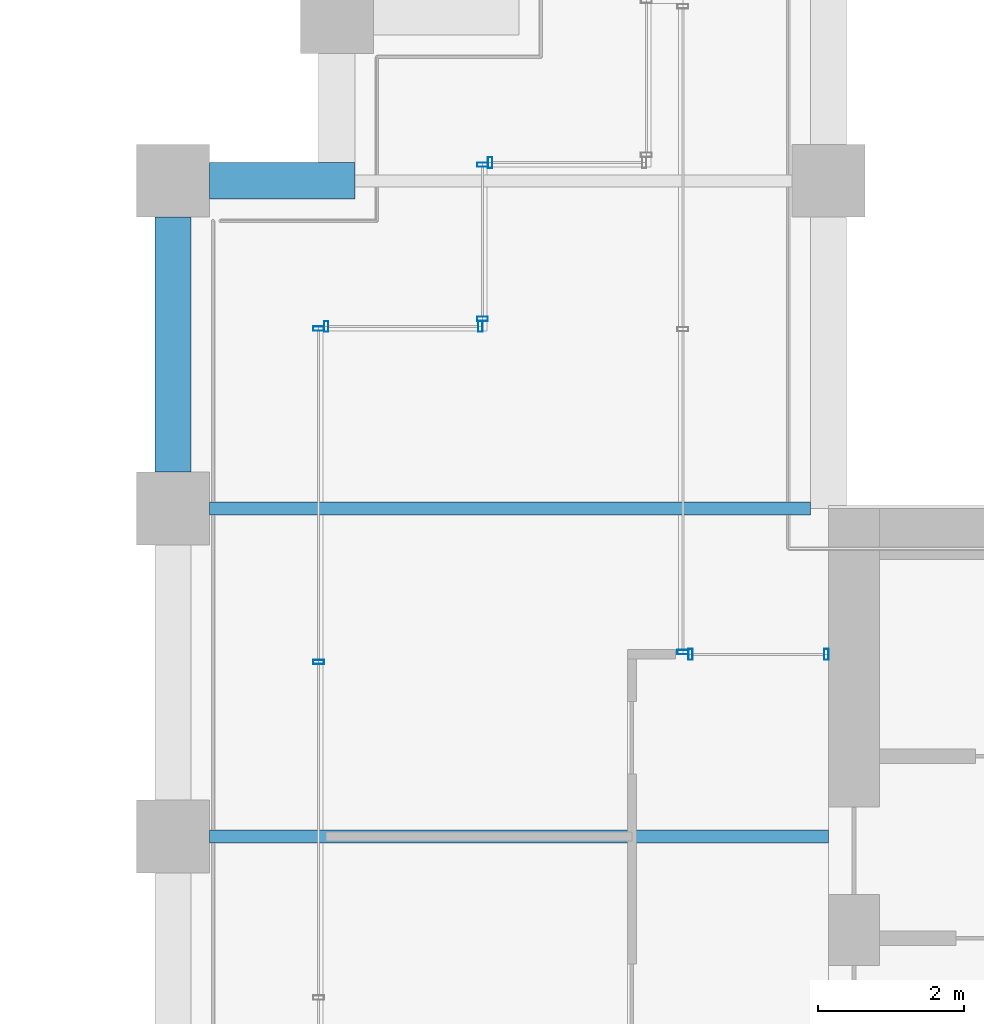
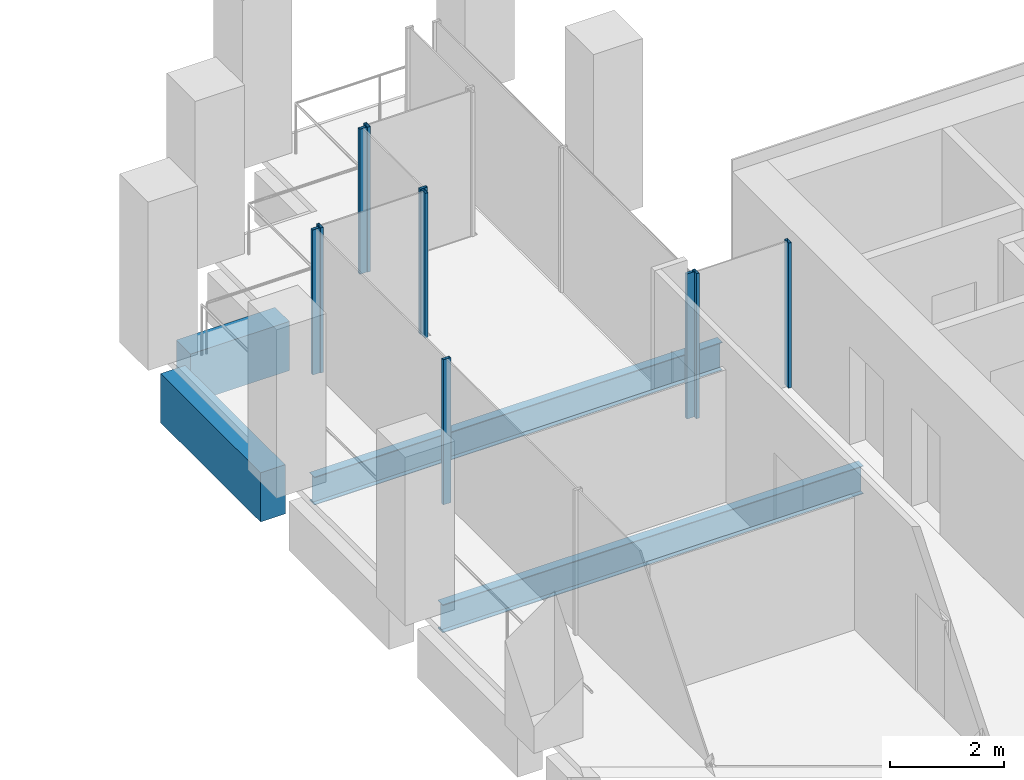
# One storey, part 34 of 47: 10 members, 4 beams, 6 elements without a shape of their own.
"""IFC4 building model written with IfcOpenShell, lengths in metres."""

import ifcopenshell
import ifcopenshell.guid

model = None  # the IFC model being written
_history = None  # IfcOwnerHistory: only IFC2X3 demands one
_inside = {}  # id of a spatial element -> (the spatial element, [elements in it])
_under = {}  # id of a project, library or spatial element -> (it, [spatial elements below it])
_declared = {}  # id of a project -> (the project, [libraries it declares])
_typed = {}  # id of a type object -> (the type object, [elements of that type])
_made_of = {}  # id of a material, layer set ... -> (it, [elements and type objects made of it])


def new_model(schema):
    """Start an empty IFC model of exactly this schema.

    Asked for "IFC4X3", IfcOpenShell would pick the latest addendum, in which some entities
    have other attributes; the version numbers below select the first issue.
    IFC2X3 requires an IfcOwnerHistory on every rooted entity: one is made here for all.
    """
    global model, _history
    if schema == "IFC4X3":
        model = ifcopenshell.file(schema_version=(4, 3, 0, 0))
    else:
        model = ifcopenshell.file(schema=schema)
    _inside.clear()
    _under.clear()
    _declared.clear()
    _typed.clear()
    _made_of.clear()
    _history = None
    if model.schema == "IFC2X3":
        org = make("IfcOrganization", Name="unknown")
        user = make(
            "IfcPersonAndOrganization",
            ThePerson=make("IfcPerson", FamilyName="unknown"),
            TheOrganization=org,
        )
        app = make(
            "IfcApplication",
            ApplicationDeveloper=org,
            Version="unknown",
            ApplicationFullName="unknown",
            ApplicationIdentifier="unknown",
        )
        _history = make(
            "IfcOwnerHistory",
            OwningUser=user,
            OwningApplication=app,
            ChangeAction="ADDED",
            CreationDate=0,
        )
    return model


def make(cls, **values):
    """One entity of the class cls with the attributes given. An attribute that is None is left unset."""
    return model.create_entity(
        cls, **{name: value for name, value in values.items() if value is not None}
    )


def rooted(cls, **values):
    """An entity with a GlobalId (a new one), such as an element, a storey or a relation."""
    return make(cls, GlobalId=ifcopenshell.guid.new(), OwnerHistory=_history, **values)


def si_unit(unit_type, name, prefix=None):
    """IfcSIUnit, for example si_unit("LENGTHUNIT", "METRE", prefix="MILLI")."""
    return make("IfcSIUnit", UnitType=unit_type, Prefix=prefix, Name=name)


def assignment(units):
    """IfcUnitAssignment: the units of a project."""
    return None if units is None else make("IfcUnitAssignment", Units=units)


def point(xyz):
    """IfcCartesianPoint."""
    return None if xyz is None else make("IfcCartesianPoint", Coordinates=xyz)


def direction(xyz):
    """IfcDirection."""
    return None if xyz is None else make("IfcDirection", DirectionRatios=xyz)


def frame(location, z_axis=None, x_axis=None):
    """IfcAxis2Placement3D, a coordinate frame: its origin and axes. An axis left out is left unset."""
    return make(
        "IfcAxis2Placement3D",
        Location=point(location),
        Axis=direction(z_axis),
        RefDirection=direction(x_axis),
    )


def frame_2d(location, x_axis=None):
    """IfcAxis2Placement2D, a coordinate frame in the plane: its origin and x axis."""
    return make(
        "IfcAxis2Placement2D", Location=point(location), RefDirection=direction(x_axis)
    )


def origin():
    """The frame at (0, 0, 0) with its axes left unset."""
    return frame((0.0, 0.0, 0.0))


def origin_2d():
    """The frame at (0, 0) in the plane with its x axis left unset."""
    return frame_2d((0.0, 0.0))


def place(relative_to, where):
    """IfcLocalPlacement: puts the frame where relative to a parent placement (None: the world)."""
    return make(
        "IfcLocalPlacement", PlacementRelTo=relative_to, RelativePlacement=where
    )


def context(
    kind, dimensions, precision=None, world=None, true_north=None, identifier=None
):
    """IfcGeometricRepresentationContext, for example the 3D "Model" context."""
    return make(
        "IfcGeometricRepresentationContext",
        ContextIdentifier=identifier,
        ContextType=kind,
        CoordinateSpaceDimension=dimensions,
        Precision=precision,
        WorldCoordinateSystem=world,
        TrueNorth=true_north,
    )


def subcontext(parent, identifier, kind, view, scale=None):
    """IfcGeometricRepresentationSubContext, for example "Body" below "Model"."""
    return make(
        "IfcGeometricRepresentationSubContext",
        ContextIdentifier=identifier,
        ContextType=kind,
        ParentContext=parent,
        TargetScale=scale,
        TargetView=view,
    )


def project(units=None, contexts=None):
    """IfcProject with its units and contexts."""
    return rooted(
        "IfcProject",
        Name="project",
        RepresentationContexts=contexts,
        UnitsInContext=assignment(units),
    )


def spatial(cls, under=None, at=None, **own):
    """A site, building, storey or space (cls), placed at a placement, below another one or the project."""
    s = rooted(cls, ObjectPlacement=at, **own)
    if under is not None:
        _under.setdefault(under.id(), (under, []))[1].append(s)
    return s


def profile(cls, at=None, kind="AREA", **sizes):
    """A parametric profile (cls). Its sizes go by their IFC names, for example OverallWidth=200.0."""
    return make(cls, ProfileType=kind, Position=at, **sizes)


def rectangle(**sizes):
    """IfcRectangleProfileDef."""
    return profile("IfcRectangleProfileDef", **sizes)


def hollow_rectangle(**sizes):
    """IfcRectangleHollowProfileDef."""
    return profile("IfcRectangleHollowProfileDef", **sizes)


def i_section(**sizes):
    """IfcIShapeProfileDef."""
    return profile("IfcIShapeProfileDef", **sizes)


def extrude(swept, where, along, depth):
    """IfcExtrudedAreaSolid: the profile swept, set in the frame where, extruded along a direction by depth."""
    return make(
        "IfcExtrudedAreaSolid",
        SweptArea=swept,
        Position=where,
        ExtrudedDirection=direction(along),
        Depth=depth,
    )


def shape(context_of_items, identifier, shape_type, items):
    """IfcShapeRepresentation: the items that make up one representation, for example the "Body"."""
    return make(
        "IfcShapeRepresentation",
        ContextOfItems=context_of_items,
        RepresentationIdentifier=identifier,
        RepresentationType=shape_type,
        Items=items,
    )


def material(Name=None, Category=None):
    """IfcMaterial."""
    return make("IfcMaterial", Name=Name, Category=Category)


def material_profile(
    of_material, cross_section, Name=None, Category=None, Priority=None
):
    """IfcMaterialProfile: a cross section and its material."""
    return make(
        "IfcMaterialProfile",
        Name=Name,
        Material=of_material,
        Profile=cross_section,
        Priority=Priority,
        Category=Category,
    )


def profile_set(profiles, Name=None, composite=None):
    """IfcMaterialProfileSet."""
    return make(
        "IfcMaterialProfileSet",
        Name=Name,
        MaterialProfiles=profiles,
        CompositeProfile=composite,
    )


def made_of(thing, what):
    """Note that an element or type object is made of a material, layer set ...; save() writes the relation."""
    if what is not None:
        _made_of.setdefault(what.id(), (what, []))[1].append(thing)
    return thing


def type_object(cls, material=None, **own):
    """A type object (cls), such as IfcWallType, which elements share."""
    return made_of(rooted(cls, **own), material)


def element(
    cls,
    number,
    at=None,
    inside=None,
    cuts=None,
    type_object=None,
    material=None,
    context=None,
    identifier="Body",
    shape_type=None,
    held_by="IfcProductDefinitionShape",
    body=None,
    shapes=None,
    **own,
):
    """One element of the class cls, such as IfcWall. Its Tag is "e" and its number.

    at: its placement. inside: the storey or other place that contains it. cuts: it is an
    opening in that element (IfcRelVoidsElement). A single representation is given by context,
    identifier, shape_type and body (its items); several are given by shapes. held_by: the class
    of the entity that holds the representations. save() writes the other relations.
    """
    e = rooted(cls, Tag="e%d" % number, ObjectPlacement=at, **own)
    if body is not None:
        shapes = [shape(context, identifier, shape_type, body)]
    if shapes is not None:
        e.Representation = make(held_by, Representations=shapes)
    if inside is not None:
        _inside.setdefault(inside.id(), (inside, []))[1].append(e)
    if cuts is not None:
        rooted(
            "IfcRelVoidsElement", RelatingBuildingElement=cuts, RelatedOpeningElement=e
        )
    if type_object is not None:
        _typed.setdefault(type_object.id(), (type_object, []))[1].append(e)
    return made_of(e, material)


def aggregate(whole, parts):
    """IfcRelAggregates: a whole, such as a stair, and the parts it consists of."""
    return rooted("IfcRelAggregates", RelatingObject=whole, RelatedObjects=parts)


def save(model, path):
    """Write the relations noted so far, then the file.

    IfcRelAggregates (storeys below a building ...), IfcRelContainedInSpatialStructure (elements
    in a storey), IfcRelDefinesByType, IfcRelAssociatesMaterial and IfcRelDeclares: one each for
    every whole, place, type object, material and project.
    """
    for whole, parts in _under.values():
        aggregate(whole, parts)
    for where, things in _inside.values():
        rooted(
            "IfcRelContainedInSpatialStructure",
            RelatedElements=things,
            RelatingStructure=where,
        )
    for kind, things in _typed.values():
        rooted("IfcRelDefinesByType", RelatedObjects=things, RelatingType=kind)
    for what, things in _made_of.values():
        rooted("IfcRelAssociatesMaterial", RelatedObjects=things, RelatingMaterial=what)
    for by, libraries in _declared.values():
        rooted("IfcRelDeclares", RelatingContext=by, RelatedDefinitions=libraries)
    model.write(path)


model = new_model("IFC4")

# Units and contexts
model_context = context("Model", 3, precision=1e-05, world=origin(), true_north=direction((0.0, 1.0)))
body_context = subcontext(model_context, "Body", "Model", "MODEL_VIEW")
ifc_project = project(units=[si_unit("LENGTHUNIT", "METRE"), si_unit("AREAUNIT", "SQUARE_METRE"), si_unit("VOLUMEUNIT", "CUBIC_METRE"), si_unit("PLANEANGLEUNIT", "RADIAN"), si_unit("MASSUNIT", "GRAM", prefix="KILO")], contexts=[model_context])

# Site, building, storey
site_placement = place(None, origin())
site = spatial("IfcSite", under=ifc_project, at=site_placement, CompositionType="ELEMENT")
building_placement = place(site_placement, origin())
building = spatial("IfcBuilding", under=site, at=building_placement, Name="Altepetl Exchange Towers", CompositionType="ELEMENT")
storey_placement = place(building_placement, frame((0.0, 0.0, 99.199951171875)))
storey = spatial("IfcBuildingStorey", under=building, at=storey_placement, Name="L24", CompositionType="ELEMENT", Elevation=99.199951171875)

# Beams
ifc_material_1 = material(Name="Steel S355", Category="steel")
ifc_material_profile_1 = material_profile(ifc_material_1, i_section(OverallWidth=0.177978515625, OverallDepth=0.59912109375, WebThickness=0.010009765625, FlangeThickness=0.0126953125, at=origin_2d()), Name="W24X55")
ifc_profile_set_1 = profile_set([ifc_material_profile_1], Name="Steel S355")
beam_type_1 = type_object("IfcBeamType", Name="Floor beam W24X55", PredefinedType="BEAM", material=ifc_profile_set_1)
beam_1_placement = place(storey_placement, frame((95.0, 45.0, -0.449462890625), z_axis=(1.0, 0.0, 0.0), x_axis=(0.0, 1.0, 0.0)))
element("IfcBeam", 1, at=beam_1_placement, inside=storey, type_object=beam_type_1, Name="bm:B:L24:009", PredefinedType="BEAM", context=body_context, shape_type="SweptSolid", body=[
    extrude(i_section(OverallWidth=0.177978515625, OverallDepth=0.59912109375, WebThickness=0.010009765625, FlangeThickness=0.0126953125, at=origin_2d()), origin(), (0.0, 0.0, 1.0), 8.5),
])
beam_2_placement = place(storey_placement, frame((95.0, 49.5, -0.449462890625), z_axis=(1.0, 0.0, 0.0), x_axis=(0.0, 1.0, 0.0)))
element("IfcBeam", 2, at=beam_2_placement, inside=storey, type_object=beam_type_1, Name="bm:B:L24:010", PredefinedType="BEAM", context=body_context, shape_type="SweptSolid", body=[
    extrude(i_section(OverallWidth=0.177978515625, OverallDepth=0.59912109375, WebThickness=0.010009765625, FlangeThickness=0.0126953125, at=origin_2d()), origin(), (0.0, 0.0, 1.0), 8.25),
])

# Curtain wall, members
ifc_material_2 = material(Name="Aluminium 6063-T6 glazing", Category="aluminium")
curtain_wall_type = type_object("IfcCurtainWallType", Name="Loggia glazing system", PredefinedType="NOTDEFINED", material=ifc_material_2)
curtain_wall_1_placement = place(storey_placement, origin())
curtain_wall_1 = element("IfcCurtainWall", 3, at=curtain_wall_1_placement, inside=storey, type_object=curtain_wall_type, Name="CW1 run", PredefinedType="NOTDEFINED")
ifc_material_3 = material(Name="Aluminium 6063-T6", Category="aluminium")
ifc_material_profile_2 = material_profile(ifc_material_3, hollow_rectangle(XDim=0.06005859375, YDim=0.14990234375, WallThickness=0.0029296875, at=origin_2d()), Name="Mullion 60x150 aluminium")
ifc_profile_set_2 = profile_set([ifc_material_profile_2], Name="Aluminium 6063-T6")
member_type = type_object("IfcMemberType", Name="Mullion 60x150 aluminium", PredefinedType="MULLION", material=ifc_profile_set_2)
member_1_placement = place(storey_placement, frame((98.719970703125, 52.0, 0.0), z_axis=(0.0, 0.0, 1.0), x_axis=(-1.0, 0.0, 0.0)))
member_1 = element("IfcMember", 4, at=member_1_placement, type_object=member_type, Name="MU1 mullion", PredefinedType="MULLION", context=body_context, shape_type="SweptSolid", body=[
    extrude(hollow_rectangle(XDim=0.06005859375, YDim=0.14990234375, WallThickness=0.0029296875, at=origin_2d()), origin(), (0.0, 0.0, 1.0), 3.10009765625),
])
member_2_placement = place(storey_placement, frame((96.60498046875, 52.0, 0.0), z_axis=(0.0, 0.0, 1.0), x_axis=(-1.0, 0.0, 0.0)))
member_2 = element("IfcMember", 5, at=member_2_placement, type_object=member_type, Name="MU1 mullion", PredefinedType="MULLION", context=body_context, shape_type="SweptSolid", body=[
    extrude(hollow_rectangle(XDim=0.06005859375, YDim=0.14990234375, WallThickness=0.0029296875, at=origin_2d()), origin(), (0.0, 0.0, 1.0), 3.10009765625),
])
aggregate(curtain_wall_1, [member_1, member_2])

curtain_wall_2_placement = place(storey_placement, origin())
curtain_wall_2 = element("IfcCurtainWall", 6, at=curtain_wall_2_placement, inside=storey, type_object=curtain_wall_type, Name="CW1 run", PredefinedType="NOTDEFINED")
member_3_placement = place(storey_placement, frame((96.5, 51.969970703125, 0.0), z_axis=(0.0, 0.0, 1.0), x_axis=(0.0, -1.0, 0.0)))
member_3 = element("IfcMember", 7, at=member_3_placement, type_object=member_type, Name="MU1 mullion", PredefinedType="MULLION", context=body_context, shape_type="SweptSolid", body=[
    extrude(hollow_rectangle(XDim=0.06005859375, YDim=0.14990234375, WallThickness=0.0029296875, at=origin_2d()), origin(), (0.0, 0.0, 1.0), 3.10009765625),
])
member_4_placement = place(storey_placement, frame((96.5, 47.393798828125, 0.0), z_axis=(0.0, 0.0, 1.0), x_axis=(0.0, -1.0, 0.0)))
member_4 = element("IfcMember", 8, at=member_4_placement, type_object=member_type, Name="MU1 mullion", PredefinedType="MULLION", context=body_context, shape_type="SweptSolid", body=[
    extrude(hollow_rectangle(XDim=0.06005859375, YDim=0.14990234375, WallThickness=0.0029296875, at=origin_2d()), origin(), (0.0, 0.0, 1.0), 3.10009765625),
])
aggregate(curtain_wall_2, [member_3, member_4])

curtain_wall_3_placement = place(storey_placement, origin())
curtain_wall_3 = element("IfcCurtainWall", 9, at=curtain_wall_3_placement, inside=storey, type_object=curtain_wall_type, Name="CW1 run", PredefinedType="NOTDEFINED")
member_5_placement = place(storey_placement, frame((103.469970703125, 47.5, 0.0), z_axis=(0.0, 0.0, 1.0), x_axis=(-1.0, 0.0, 0.0)))
member_5 = element("IfcMember", 10, at=member_5_placement, type_object=member_type, Name="MU1 mullion", PredefinedType="MULLION", context=body_context, shape_type="SweptSolid", body=[
    extrude(hollow_rectangle(XDim=0.06005859375, YDim=0.14990234375, WallThickness=0.0029296875, at=origin_2d()), origin(), (0.0, 0.0, 1.0), 3.10009765625),
])
member_6_placement = place(storey_placement, frame((101.60498046875, 47.5, 0.0), z_axis=(0.0, 0.0, 1.0), x_axis=(-1.0, 0.0, 0.0)))
member_6 = element("IfcMember", 11, at=member_6_placement, type_object=member_type, Name="MU1 mullion", PredefinedType="MULLION", context=body_context, shape_type="SweptSolid", body=[
    extrude(hollow_rectangle(XDim=0.06005859375, YDim=0.14990234375, WallThickness=0.0029296875, at=origin_2d()), origin(), (0.0, 0.0, 1.0), 3.10009765625),
])
aggregate(curtain_wall_3, [member_5, member_6])

# Curtain wall, member
curtain_wall_4_placement = place(storey_placement, origin())
curtain_wall_4 = element("IfcCurtainWall", 12, at=curtain_wall_4_placement, inside=storey, type_object=curtain_wall_type, Name="CW1 run", PredefinedType="NOTDEFINED")
member_7_placement = place(storey_placement, frame((101.5, 47.530029296875, 0.0), z_axis=(0.0, 0.0, 1.0), x_axis=(0.0, 1.0, 0.0)))
member_7 = element("IfcMember", 13, at=member_7_placement, type_object=member_type, Name="MU1 mullion", PredefinedType="MULLION", context=body_context, shape_type="SweptSolid", body=[
    extrude(hollow_rectangle(XDim=0.06005859375, YDim=0.14990234375, WallThickness=0.0029296875, at=origin_2d()), origin(), (0.0, 0.0, 1.0), 3.10009765625),
])
aggregate(curtain_wall_4, [member_7])

curtain_wall_5_placement = place(storey_placement, origin())
curtain_wall_5 = element("IfcCurtainWall", 14, at=curtain_wall_5_placement, inside=storey, type_object=curtain_wall_type, Name="CW1 run", PredefinedType="NOTDEFINED")
member_8_placement = place(storey_placement, frame((98.85498046875, 54.25, 0.0), z_axis=(0.0, 0.0, 1.0), x_axis=(-1.0, 0.0, 0.0)))
member_8 = element("IfcMember", 15, at=member_8_placement, type_object=member_type, Name="MU1 mullion", PredefinedType="MULLION", context=body_context, shape_type="SweptSolid", body=[
    extrude(hollow_rectangle(XDim=0.06005859375, YDim=0.14990234375, WallThickness=0.0029296875, at=origin_2d()), origin(), (0.0, 0.0, 1.0), 3.10009765625),
])
aggregate(curtain_wall_5, [member_8])

# Curtain wall, members
curtain_wall_6_placement = place(storey_placement, origin())
curtain_wall_6 = element("IfcCurtainWall", 16, at=curtain_wall_6_placement, inside=storey, type_object=curtain_wall_type, Name="CW1 run", PredefinedType="NOTDEFINED")
member_9_placement = place(storey_placement, frame((98.75, 54.219970703125, 0.0), z_axis=(0.0, 0.0, 1.0), x_axis=(0.0, -1.0, 0.0)))
member_9 = element("IfcMember", 17, at=member_9_placement, type_object=member_type, Name="MU1 mullion", PredefinedType="MULLION", context=body_context, shape_type="SweptSolid", body=[
    extrude(hollow_rectangle(XDim=0.06005859375, YDim=0.14990234375, WallThickness=0.0029296875, at=origin_2d()), origin(), (0.0, 0.0, 1.0), 3.10009765625),
])
member_10_placement = place(storey_placement, frame((98.75, 52.10498046875, 0.0), z_axis=(0.0, 0.0, 1.0), x_axis=(0.0, -1.0, 0.0)))
member_10 = element("IfcMember", 18, at=member_10_placement, type_object=member_type, Name="MU1 mullion", PredefinedType="MULLION", context=body_context, shape_type="SweptSolid", body=[
    extrude(hollow_rectangle(XDim=0.06005859375, YDim=0.14990234375, WallThickness=0.0029296875, at=origin_2d()), origin(), (0.0, 0.0, 1.0), 3.10009765625),
])
aggregate(curtain_wall_6, [member_9, member_10])

# Beams
ifc_material_4 = material(Name="Concrete C50/60 precast with cantera rosa facing", Category="concrete")
ifc_material_profile_3 = material_profile(ifc_material_4, rectangle(XDim=0.5, YDim=1.050048828125, at=origin_2d()), Name="500 x 1050")
ifc_profile_set_3 = profile_set([ifc_material_profile_3], Name="Concrete C50/60 precast with cantera rosa facing")
beam_type_2 = type_object("IfcBeamType", Name="Spandrel beam 500x1050 cantera rosa", PredefinedType="SPANDREL", material=ifc_profile_set_3)
beam_3_placement = place(storey_placement, frame((97.0, 54.0, -0.675048828125), z_axis=(-1.0, 0.0, 0.0), x_axis=(0.0, -1.0, 0.0)))
element("IfcBeam", 19, at=beam_3_placement, inside=storey, type_object=beam_type_2, Name="sp:B:L24:021", PredefinedType="SPANDREL", context=body_context, shape_type="SweptSolid", body=[
    extrude(rectangle(XDim=0.5, YDim=1.050048828125, at=origin_2d()), origin(), (0.0, 0.0, 1.0), 2.0),
])
beam_4_placement = place(storey_placement, frame((94.5, 53.5, -0.675048828125), z_axis=(0.0, -1.0, 0.0), x_axis=(1.0, 0.0, 0.0)))
element("IfcBeam", 20, at=beam_4_placement, inside=storey, type_object=beam_type_2, Name="sp:B:L24:022", PredefinedType="SPANDREL", context=body_context, shape_type="SweptSolid", body=[
    extrude(rectangle(XDim=0.5, YDim=1.050048828125, at=origin_2d()), origin(), (0.0, 0.0, 1.0), 3.5),
])

save(model, "model.ifc")
